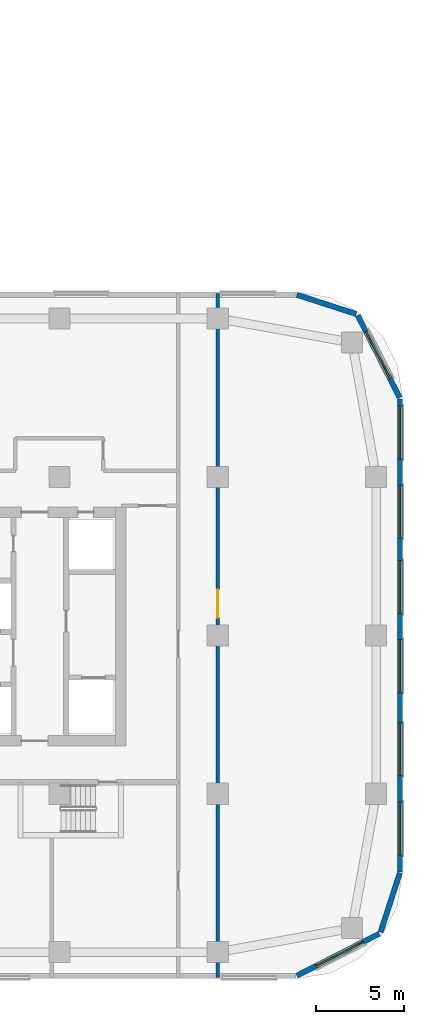
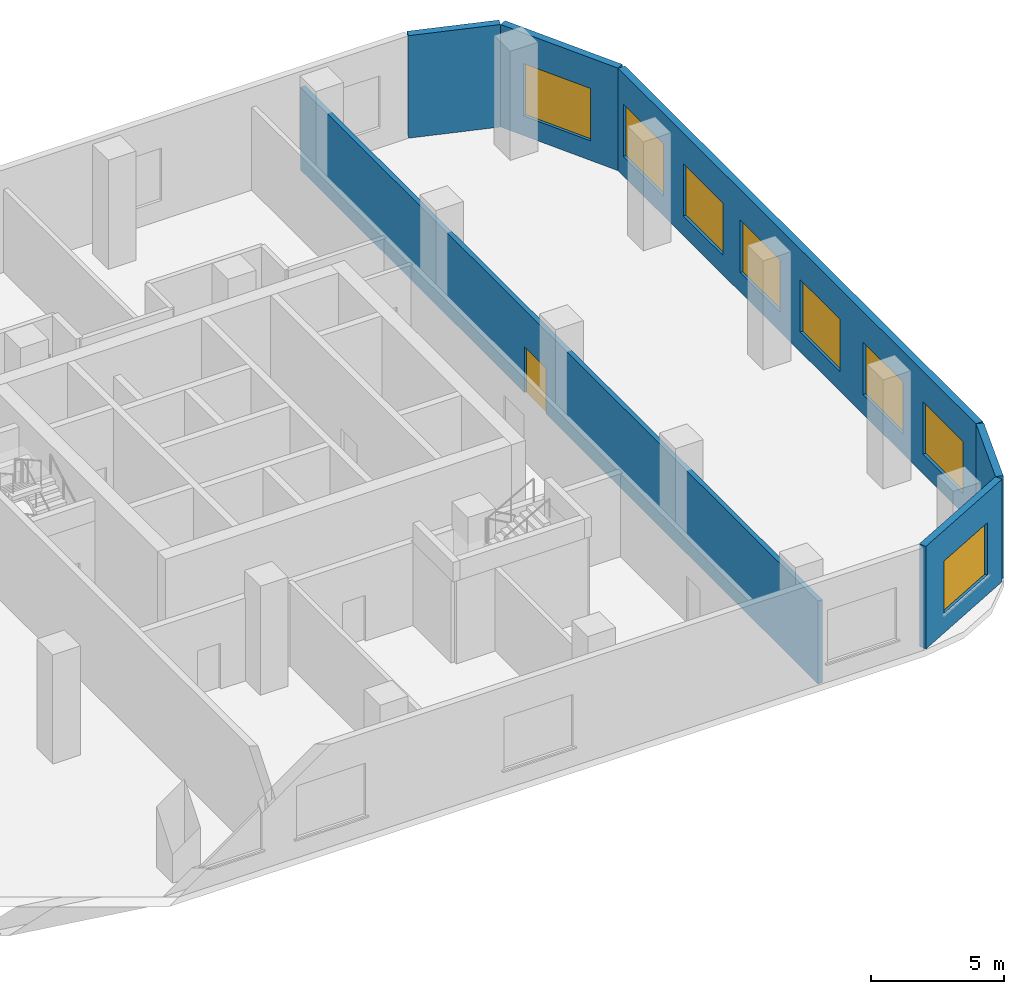
# One storey, part 16 of 33: 8 windows, 6 walls, 1 door, 9 openings.
"""IFC4 building model written with IfcOpenShell, lengths in metres."""

import ifcopenshell
import ifcopenshell.guid

model = None  # the IFC model being written
_history = None  # IfcOwnerHistory: only IFC2X3 demands one
_inside = {}  # id of a spatial element -> (the spatial element, [elements in it])
_under = {}  # id of a project, library or spatial element -> (it, [spatial elements below it])
_declared = {}  # id of a project -> (the project, [libraries it declares])
_typed = {}  # id of a type object -> (the type object, [elements of that type])
_made_of = {}  # id of a material, layer set ... -> (it, [elements and type objects made of it])


def new_model(schema):
    """Start an empty IFC model of exactly this schema.

    Asked for "IFC4X3", IfcOpenShell would pick the latest addendum, in which some entities
    have other attributes; the version numbers below select the first issue.
    IFC2X3 requires an IfcOwnerHistory on every rooted entity: one is made here for all.
    """
    global model, _history
    if schema == "IFC4X3":
        model = ifcopenshell.file(schema_version=(4, 3, 0, 0))
    else:
        model = ifcopenshell.file(schema=schema)
    _inside.clear()
    _under.clear()
    _declared.clear()
    _typed.clear()
    _made_of.clear()
    _history = None
    if model.schema == "IFC2X3":
        org = make("IfcOrganization", Name="unknown")
        user = make(
            "IfcPersonAndOrganization",
            ThePerson=make("IfcPerson", FamilyName="unknown"),
            TheOrganization=org,
        )
        app = make(
            "IfcApplication",
            ApplicationDeveloper=org,
            Version="unknown",
            ApplicationFullName="unknown",
            ApplicationIdentifier="unknown",
        )
        _history = make(
            "IfcOwnerHistory",
            OwningUser=user,
            OwningApplication=app,
            ChangeAction="ADDED",
            CreationDate=0,
        )
    return model


def make(cls, **values):
    """One entity of the class cls with the attributes given. An attribute that is None is left unset."""
    return model.create_entity(
        cls, **{name: value for name, value in values.items() if value is not None}
    )


def rooted(cls, **values):
    """An entity with a GlobalId (a new one), such as an element, a storey or a relation."""
    return make(cls, GlobalId=ifcopenshell.guid.new(), OwnerHistory=_history, **values)


def si_unit(unit_type, name, prefix=None):
    """IfcSIUnit, for example si_unit("LENGTHUNIT", "METRE", prefix="MILLI")."""
    return make("IfcSIUnit", UnitType=unit_type, Prefix=prefix, Name=name)


def assignment(units):
    """IfcUnitAssignment: the units of a project."""
    return None if units is None else make("IfcUnitAssignment", Units=units)


def point(xyz):
    """IfcCartesianPoint."""
    return None if xyz is None else make("IfcCartesianPoint", Coordinates=xyz)


def direction(xyz):
    """IfcDirection."""
    return None if xyz is None else make("IfcDirection", DirectionRatios=xyz)


def frame(location, z_axis=None, x_axis=None):
    """IfcAxis2Placement3D, a coordinate frame: its origin and axes. An axis left out is left unset."""
    return make(
        "IfcAxis2Placement3D",
        Location=point(location),
        Axis=direction(z_axis),
        RefDirection=direction(x_axis),
    )


def frame_2d(location, x_axis=None):
    """IfcAxis2Placement2D, a coordinate frame in the plane: its origin and x axis."""
    return make(
        "IfcAxis2Placement2D", Location=point(location), RefDirection=direction(x_axis)
    )


def origin():
    """The frame at (0, 0, 0) with its axes left unset."""
    return frame((0.0, 0.0, 0.0))


def place(relative_to, where):
    """IfcLocalPlacement: puts the frame where relative to a parent placement (None: the world)."""
    return make(
        "IfcLocalPlacement", PlacementRelTo=relative_to, RelativePlacement=where
    )


def context(
    kind, dimensions, precision=None, world=None, true_north=None, identifier=None
):
    """IfcGeometricRepresentationContext, for example the 3D "Model" context."""
    return make(
        "IfcGeometricRepresentationContext",
        ContextIdentifier=identifier,
        ContextType=kind,
        CoordinateSpaceDimension=dimensions,
        Precision=precision,
        WorldCoordinateSystem=world,
        TrueNorth=true_north,
    )


def subcontext(parent, identifier, kind, view, scale=None):
    """IfcGeometricRepresentationSubContext, for example "Body" below "Model"."""
    return make(
        "IfcGeometricRepresentationSubContext",
        ContextIdentifier=identifier,
        ContextType=kind,
        ParentContext=parent,
        TargetScale=scale,
        TargetView=view,
    )


def project(units=None, contexts=None):
    """IfcProject with its units and contexts."""
    return rooted(
        "IfcProject",
        Name="project",
        RepresentationContexts=contexts,
        UnitsInContext=assignment(units),
    )


def spatial(cls, under=None, at=None, **own):
    """A site, building, storey or space (cls), placed at a placement, below another one or the project."""
    s = rooted(cls, ObjectPlacement=at, **own)
    if under is not None:
        _under.setdefault(under.id(), (under, []))[1].append(s)
    return s


def profile(cls, at=None, kind="AREA", **sizes):
    """A parametric profile (cls). Its sizes go by their IFC names, for example OverallWidth=200.0."""
    return make(cls, ProfileType=kind, Position=at, **sizes)


def rectangle(**sizes):
    """IfcRectangleProfileDef."""
    return profile("IfcRectangleProfileDef", **sizes)


def extrude(swept, where, along, depth):
    """IfcExtrudedAreaSolid: the profile swept, set in the frame where, extruded along a direction by depth."""
    return make(
        "IfcExtrudedAreaSolid",
        SweptArea=swept,
        Position=where,
        ExtrudedDirection=direction(along),
        Depth=depth,
    )


def shape(context_of_items, identifier, shape_type, items):
    """IfcShapeRepresentation: the items that make up one representation, for example the "Body"."""
    return make(
        "IfcShapeRepresentation",
        ContextOfItems=context_of_items,
        RepresentationIdentifier=identifier,
        RepresentationType=shape_type,
        Items=items,
    )


def material(Name=None, Category=None):
    """IfcMaterial."""
    return make("IfcMaterial", Name=Name, Category=Category)


def layer(
    of_material, thickness, ventilated=None, Name=None, Category=None, Priority=None
):
    """IfcMaterialLayer: one layer of a wall or slab, of a material (None: an air gap)."""
    return make(
        "IfcMaterialLayer",
        Material=of_material,
        LayerThickness=thickness,
        IsVentilated=ventilated,
        Name=Name,
        Category=Category,
        Priority=Priority,
    )


def layer_set(layers, Name=None):
    """IfcMaterialLayerSet."""
    return make("IfcMaterialLayerSet", MaterialLayers=layers, LayerSetName=Name)


def made_of(thing, what):
    """Note that an element or type object is made of a material, layer set ...; save() writes the relation."""
    if what is not None:
        _made_of.setdefault(what.id(), (what, []))[1].append(thing)
    return thing


def type_object(cls, material=None, **own):
    """A type object (cls), such as IfcWallType, which elements share."""
    return made_of(rooted(cls, **own), material)


def element(
    cls,
    number,
    at=None,
    inside=None,
    cuts=None,
    type_object=None,
    material=None,
    context=None,
    identifier="Body",
    shape_type=None,
    held_by="IfcProductDefinitionShape",
    body=None,
    shapes=None,
    **own,
):
    """One element of the class cls, such as IfcWall. Its Tag is "e" and its number.

    at: its placement. inside: the storey or other place that contains it. cuts: it is an
    opening in that element (IfcRelVoidsElement). A single representation is given by context,
    identifier, shape_type and body (its items); several are given by shapes. held_by: the class
    of the entity that holds the representations. save() writes the other relations.
    """
    e = rooted(cls, Tag="e%d" % number, ObjectPlacement=at, **own)
    if body is not None:
        shapes = [shape(context, identifier, shape_type, body)]
    if shapes is not None:
        e.Representation = make(held_by, Representations=shapes)
    if inside is not None:
        _inside.setdefault(inside.id(), (inside, []))[1].append(e)
    if cuts is not None:
        rooted(
            "IfcRelVoidsElement", RelatingBuildingElement=cuts, RelatedOpeningElement=e
        )
    if type_object is not None:
        _typed.setdefault(type_object.id(), (type_object, []))[1].append(e)
    return made_of(e, material)


def fill(opening, filler):
    """IfcRelFillsElement: the door or window that sits in an opening."""
    return rooted(
        "IfcRelFillsElement",
        RelatingOpeningElement=opening,
        RelatedBuildingElement=filler,
    )


def aggregate(whole, parts):
    """IfcRelAggregates: a whole, such as a stair, and the parts it consists of."""
    return rooted("IfcRelAggregates", RelatingObject=whole, RelatedObjects=parts)


def save(model, path):
    """Write the relations noted so far, then the file.

    IfcRelAggregates (storeys below a building ...), IfcRelContainedInSpatialStructure (elements
    in a storey), IfcRelDefinesByType, IfcRelAssociatesMaterial and IfcRelDeclares: one each for
    every whole, place, type object, material and project.
    """
    for whole, parts in _under.values():
        aggregate(whole, parts)
    for where, things in _inside.values():
        rooted(
            "IfcRelContainedInSpatialStructure",
            RelatedElements=things,
            RelatingStructure=where,
        )
    for kind, things in _typed.values():
        rooted("IfcRelDefinesByType", RelatedObjects=things, RelatingType=kind)
    for what, things in _made_of.values():
        rooted("IfcRelAssociatesMaterial", RelatedObjects=things, RelatingMaterial=what)
    for by, libraries in _declared.values():
        rooted("IfcRelDeclares", RelatingContext=by, RelatedDefinitions=libraries)
    model.write(path)


model = new_model("IFC4")

# Units and contexts
model_context = context("Model", 3, precision=1e-05, world=origin(), true_north=direction((0.0, 1.0)))
body_context = subcontext(model_context, "Body", "Model", "MODEL_VIEW")
ifc_project = project(units=[si_unit("LENGTHUNIT", "METRE"), si_unit("AREAUNIT", "SQUARE_METRE"), si_unit("VOLUMEUNIT", "CUBIC_METRE"), si_unit("PLANEANGLEUNIT", "RADIAN"), si_unit("MASSUNIT", "GRAM", prefix="KILO")], contexts=[model_context])

# Site, building, storey
site_placement = place(None, origin())
site = spatial("IfcSite", under=ifc_project, at=site_placement, CompositionType="ELEMENT")
building_placement = place(site_placement, origin())
building = spatial("IfcBuilding", under=site, at=building_placement, Name="Ogive Portal Towers", CompositionType="ELEMENT")
storey_placement = place(building_placement, frame((0.0, 0.0, 28.5)))
storey = spatial("IfcBuildingStorey", under=building, at=storey_placement, Name="L05", CompositionType="ELEMENT", Elevation=28.5)

# Wall, opening, window
ifc_material_1 = material(Name="Limestone cladding on lightweight block wall", Category="masonry")
ifc_layer_1 = layer(ifc_material_1, 0.300048828125)
ifc_layer_set_1 = layer_set([ifc_layer_1], Name="EXTERNAL WALL 300 STONE")
wall_type_1 = type_object("IfcWallType", Name="EXTERNAL WALL 300 STONE", PredefinedType="SOLIDWALL", material=ifc_layer_set_1)
wall_1_placement = place(storey_placement, frame((153.99609375, 11.166259765625, 0.0), z_axis=(0.0, 0.0, 1.0), x_axis=(0.890998339455, 0.454006562826, 0.0)))
wall_1 = element("IfcWall", 1, at=wall_1_placement, inside=storey, type_object=wall_type_1, Name="B:L05:f03:w0", PredefinedType="SOLIDWALL", context=body_context, shape_type="SweptSolid", body=[
    extrude(rectangle(XDim=5.251708984375, YDim=0.300048828125, at=frame_2d((2.6259765625, 0.0))), origin(), (0.0, 0.0, 1.0), 4.699951171875),
])
opening_1_placement = place(wall_1_placement, frame((1.223876953125, 0.0, 0.89990234375)))
opening_1 = element("IfcOpeningElement", 2, at=opening_1_placement, cuts=wall_1, Name="Opening WN3", PredefinedType="OPENING", context=body_context, shape_type="SweptSolid", body=[
    extrude(rectangle(XDim=3.0, YDim=2.39990234375, at=frame_2d((1.5, 1.199951171875))), frame((0.0, 0.16015625, 0.0), z_axis=(0.0, -1.0, 0.0), x_axis=(1.0, 0.0, 0.0)), (0.0, 0.0, 1.0), 0.320068359375),
])
ifc_material_2 = material(Name="Glass, clear low-iron insulated glazing", Category="glass")
window_type = type_object("IfcWindowType", Name="WINDOW PODIUM 3000x2400", PartitioningType="SINGLE_PANEL", PredefinedType="WINDOW", material=ifc_material_2)
window_1_placement = place(opening_1_placement, origin())
window_1 = element("IfcWindow", 3, at=window_1_placement, inside=storey, type_object=window_type, Name="B:L05:f03:w0:o0", OverallHeight=2.39990234375, OverallWidth=3.0, PartitioningType="SINGLE_PANEL", PredefinedType="WINDOW", context=body_context, shape_type="SweptSolid", body=[
    extrude(rectangle(XDim=3.0, YDim=2.39990234375, at=frame_2d((1.5, 1.199951171875))), frame((0.0, 0.030029296875, 0.0), z_axis=(0.0, -1.0, 0.0), x_axis=(1.0, 0.0, 0.0)), (0.0, 0.0, 1.0), 0.06005859375),
])
fill(opening_1, window_1)

# Wall
wall_2_placement = place(storey_placement, frame((158.749755859375, 13.637939453125, 0.0), z_axis=(0.0, 0.0, 1.0), x_axis=(0.309073584194, 0.951038127287, 0.0)))
element("IfcWall", 4, at=wall_2_placement, inside=storey, type_object=wall_type_1, Name="B:L05:f04:w0", PredefinedType="SOLIDWALL", context=body_context, shape_type="SweptSolid", body=[
    extrude(rectangle(XDim=3.536376953125, YDim=0.300048828125, at=frame_2d((1.76806640625, 0.0))), origin(), (0.0, 0.0, 1.0), 4.699951171875),
])

# Wall, openings, windows
wall_3_placement = place(storey_placement, frame((159.85009765625, 17.047607421875, 0.0), z_axis=(0.0, 0.0, 1.0), x_axis=(0.0, 1.0, 0.0)))
wall_3 = element("IfcWall", 5, at=wall_3_placement, inside=storey, type_object=wall_type_1, Name="B:L05:f05:w0", PredefinedType="SOLIDWALL", context=body_context, shape_type="SweptSolid", body=[
    extrude(rectangle(XDim=26.88037109375, YDim=0.300048828125, at=frame_2d((13.440185546875, 0.0))), origin(), (0.0, 0.0, 1.0), 4.699951171875),
])
opening_2_placement = place(wall_3_placement, frame((0.976318359375, 0.0, 0.89990234375)))
opening_2 = element("IfcOpeningElement", 6, at=opening_2_placement, cuts=wall_3, Name="Opening WN3", PredefinedType="OPENING", context=body_context, shape_type="SweptSolid", body=[
    extrude(rectangle(XDim=3.0, YDim=2.39990234375, at=frame_2d((1.5, 1.199951171875))), frame((0.0, 0.16015625, 0.0), z_axis=(0.0, -1.0, 0.0), x_axis=(1.0, 0.0, 0.0)), (0.0, 0.0, 1.0), 0.320068359375),
])
opening_3_placement = place(wall_3_placement, frame((5.476318359375, 0.0, 0.89990234375)))
opening_3 = element("IfcOpeningElement", 7, at=opening_3_placement, cuts=wall_3, Name="Opening WN3", PredefinedType="OPENING", context=body_context, shape_type="SweptSolid", body=[
    extrude(rectangle(XDim=3.0, YDim=2.39990234375, at=frame_2d((1.5, 1.199951171875))), frame((0.0, 0.16015625, 0.0), z_axis=(0.0, -1.0, 0.0), x_axis=(1.0, 0.0, 0.0)), (0.0, 0.0, 1.0), 0.320068359375),
])
opening_4_placement = place(wall_3_placement, frame((10.202392578125, 0.0, 0.89990234375)))
opening_4 = element("IfcOpeningElement", 8, at=opening_4_placement, cuts=wall_3, Name="Opening WN3", PredefinedType="OPENING", context=body_context, shape_type="SweptSolid", body=[
    extrude(rectangle(XDim=3.0, YDim=2.39990234375, at=frame_2d((1.5, 1.199951171875))), frame((0.0, 0.16015625, 0.0), z_axis=(0.0, -1.0, 0.0), x_axis=(1.0, 0.0, 0.0)), (0.0, 0.0, 1.0), 0.320068359375),
])
opening_5_placement = place(wall_3_placement, frame((14.702392578125, 0.0, 0.89990234375)))
opening_5 = element("IfcOpeningElement", 9, at=opening_5_placement, cuts=wall_3, Name="Opening WN3", PredefinedType="OPENING", context=body_context, shape_type="SweptSolid", body=[
    extrude(rectangle(XDim=3.0, YDim=2.39990234375, at=frame_2d((1.5, 1.199951171875))), frame((0.0, 0.16015625, 0.0), z_axis=(0.0, -1.0, 0.0), x_axis=(1.0, 0.0, 0.0)), (0.0, 0.0, 1.0), 0.320068359375),
])
opening_6_placement = place(wall_3_placement, frame((18.976318359375, 0.0, 0.89990234375)))
opening_6 = element("IfcOpeningElement", 10, at=opening_6_placement, cuts=wall_3, Name="Opening WN3", PredefinedType="OPENING", context=body_context, shape_type="SweptSolid", body=[
    extrude(rectangle(XDim=3.0, YDim=2.39990234375, at=frame_2d((1.5, 1.199951171875))), frame((0.0, 0.16015625, 0.0), z_axis=(0.0, -1.0, 0.0), x_axis=(1.0, 0.0, 0.0)), (0.0, 0.0, 1.0), 0.320068359375),
])
opening_7_placement = place(wall_3_placement, frame((23.476318359375, 0.0, 0.89990234375)))
opening_7 = element("IfcOpeningElement", 11, at=opening_7_placement, cuts=wall_3, Name="Opening WN3", PredefinedType="OPENING", context=body_context, shape_type="SweptSolid", body=[
    extrude(rectangle(XDim=3.0, YDim=2.39990234375, at=frame_2d((1.5, 1.199951171875))), frame((0.0, 0.16015625, 0.0), z_axis=(0.0, -1.0, 0.0), x_axis=(1.0, 0.0, 0.0)), (0.0, 0.0, 1.0), 0.320068359375),
])
window_2_placement = place(opening_2_placement, origin())
window_2 = element("IfcWindow", 12, at=window_2_placement, inside=storey, type_object=window_type, Name="B:L05:f05:w0:o0a", OverallHeight=2.39990234375, OverallWidth=3.0, PartitioningType="SINGLE_PANEL", PredefinedType="WINDOW", context=body_context, shape_type="SweptSolid", body=[
    extrude(rectangle(XDim=3.0, YDim=2.39990234375, at=frame_2d((1.5, 1.199951171875))), frame((0.0, 0.030029296875, 0.0), z_axis=(0.0, -1.0, 0.0), x_axis=(1.0, 0.0, 0.0)), (0.0, 0.0, 1.0), 0.06005859375),
])
fill(opening_2, window_2)
window_3_placement = place(opening_3_placement, origin())
window_3 = element("IfcWindow", 13, at=window_3_placement, inside=storey, type_object=window_type, Name="B:L05:f05:w0:o0b", OverallHeight=2.39990234375, OverallWidth=3.0, PartitioningType="SINGLE_PANEL", PredefinedType="WINDOW", context=body_context, shape_type="SweptSolid", body=[
    extrude(rectangle(XDim=3.0, YDim=2.39990234375, at=frame_2d((1.5, 1.199951171875))), frame((0.0, 0.030029296875, 0.0), z_axis=(0.0, -1.0, 0.0), x_axis=(1.0, 0.0, 0.0)), (0.0, 0.0, 1.0), 0.06005859375),
])
fill(opening_3, window_3)
window_4_placement = place(opening_4_placement, origin())
window_4 = element("IfcWindow", 14, at=window_4_placement, inside=storey, type_object=window_type, Name="B:L05:f05:w0:o1a", OverallHeight=2.39990234375, OverallWidth=3.0, PartitioningType="SINGLE_PANEL", PredefinedType="WINDOW", context=body_context, shape_type="SweptSolid", body=[
    extrude(rectangle(XDim=3.0, YDim=2.39990234375, at=frame_2d((1.5, 1.199951171875))), frame((0.0, 0.030029296875, 0.0), z_axis=(0.0, -1.0, 0.0), x_axis=(1.0, 0.0, 0.0)), (0.0, 0.0, 1.0), 0.06005859375),
])
fill(opening_4, window_4)
window_5_placement = place(opening_5_placement, origin())
window_5 = element("IfcWindow", 15, at=window_5_placement, inside=storey, type_object=window_type, Name="B:L05:f05:w0:o1b", OverallHeight=2.39990234375, OverallWidth=3.0, PartitioningType="SINGLE_PANEL", PredefinedType="WINDOW", context=body_context, shape_type="SweptSolid", body=[
    extrude(rectangle(XDim=3.0, YDim=2.39990234375, at=frame_2d((1.5, 1.199951171875))), frame((0.0, 0.030029296875, 0.0), z_axis=(0.0, -1.0, 0.0), x_axis=(1.0, 0.0, 0.0)), (0.0, 0.0, 1.0), 0.06005859375),
])
fill(opening_5, window_5)
window_6_placement = place(opening_6_placement, origin())
window_6 = element("IfcWindow", 16, at=window_6_placement, inside=storey, type_object=window_type, Name="B:L05:f05:w0:o2a", OverallHeight=2.39990234375, OverallWidth=3.0, PartitioningType="SINGLE_PANEL", PredefinedType="WINDOW", context=body_context, shape_type="SweptSolid", body=[
    extrude(rectangle(XDim=3.0, YDim=2.39990234375, at=frame_2d((1.5, 1.199951171875))), frame((0.0, 0.030029296875, 0.0), z_axis=(0.0, -1.0, 0.0), x_axis=(1.0, 0.0, 0.0)), (0.0, 0.0, 1.0), 0.06005859375),
])
fill(opening_6, window_6)
window_7_placement = place(opening_7_placement, origin())
window_7 = element("IfcWindow", 17, at=window_7_placement, inside=storey, type_object=window_type, Name="B:L05:f05:w0:o2b", OverallHeight=2.39990234375, OverallWidth=3.0, PartitioningType="SINGLE_PANEL", PredefinedType="WINDOW", context=body_context, shape_type="SweptSolid", body=[
    extrude(rectangle(XDim=3.0, YDim=2.39990234375, at=frame_2d((1.5, 1.199951171875))), frame((0.0, 0.030029296875, 0.0), z_axis=(0.0, -1.0, 0.0), x_axis=(1.0, 0.0, 0.0)), (0.0, 0.0, 1.0), 0.06005859375),
])
fill(opening_7, window_7)

# Wall, opening, window
wall_4_placement = place(storey_placement, frame((159.833740234375, 43.99609375, 0.0), z_axis=(0.0, 0.0, 1.0), x_axis=(-0.454006562826, 0.890998339455, 0.0)))
wall_4 = element("IfcWall", 18, at=wall_4_placement, inside=storey, type_object=wall_type_1, Name="B:L05:f06:w0", PredefinedType="SOLIDWALL", context=body_context, shape_type="SweptSolid", body=[
    extrude(rectangle(XDim=5.251708984375, YDim=0.300048828125, at=frame_2d((2.6259765625, 0.0))), origin(), (0.0, 0.0, 1.0), 4.699951171875),
])
opening_8_placement = place(wall_4_placement, frame((1.223876953125, 0.0, 0.89990234375)))
opening_8 = element("IfcOpeningElement", 19, at=opening_8_placement, cuts=wall_4, Name="Opening WN3", PredefinedType="OPENING", context=body_context, shape_type="SweptSolid", body=[
    extrude(rectangle(XDim=3.0, YDim=2.39990234375, at=frame_2d((1.5, 1.199951171875))), frame((0.0, 0.16015625, 0.0), z_axis=(0.0, -1.0, 0.0), x_axis=(1.0, 0.0, 0.0)), (0.0, 0.0, 1.0), 0.320068359375),
])
window_8_placement = place(opening_8_placement, origin())
window_8 = element("IfcWindow", 20, at=window_8_placement, inside=storey, type_object=window_type, Name="B:L05:f06:w0:o0", OverallHeight=2.39990234375, OverallWidth=3.0, PartitioningType="SINGLE_PANEL", PredefinedType="WINDOW", context=body_context, shape_type="SweptSolid", body=[
    extrude(rectangle(XDim=3.0, YDim=2.39990234375, at=frame_2d((1.5, 1.199951171875))), frame((0.0, 0.030029296875, 0.0), z_axis=(0.0, -1.0, 0.0), x_axis=(1.0, 0.0, 0.0)), (0.0, 0.0, 1.0), 0.06005859375),
])
fill(opening_8, window_8)

# Wall
wall_5_placement = place(storey_placement, frame((157.362060546875, 48.749755859375, 0.0), z_axis=(0.0, 0.0, 1.0), x_axis=(-0.951038127287, 0.309073584194, 0.0)))
element("IfcWall", 21, at=wall_5_placement, inside=storey, type_object=wall_type_1, Name="B:L05:f07:w0", PredefinedType="SOLIDWALL", context=body_context, shape_type="SweptSolid", body=[
    extrude(rectangle(XDim=3.536376953125, YDim=0.300048828125, at=frame_2d((1.76806640625, 0.0))), origin(), (0.0, 0.0, 1.0), 4.699951171875),
])

# Wall, opening, door
ifc_material_3 = material(Name="Gypsum board partition on steel studs", Category="steel")
ifc_layer_2 = layer(ifc_material_3, 0.199951171875)
ifc_layer_set_2 = layer_set([ifc_layer_2], Name="WT-PART-200-EI 60")
wall_type_2 = type_object("IfcWallType", Name="WT-PART-200-EI 60", PredefinedType="PARTITIONING", material=ifc_layer_set_2)
wall_6_placement = place(storey_placement, frame((149.5, 11.070068359375, 0.0), z_axis=(0.0, 0.0, 1.0), x_axis=(0.0, 1.0, 0.0)))
wall_6 = element("IfcWall", 22, at=wall_6_placement, inside=storey, type_object=wall_type_2, Name="Wall L05:w076", PredefinedType="PARTITIONING", context=body_context, shape_type="SweptSolid", body=[
    extrude(rectangle(XDim=38.85986328125, YDim=0.199951171875, at=frame_2d((19.429931640625, 0.0))), origin(), (0.0, 0.0, 1.0), 3.800048828125),
])
opening_9_placement = place(wall_6_placement, frame((20.429931640625, 0.0, 0.0)))
opening_9 = element("IfcOpeningElement", 23, at=opening_9_placement, cuts=wall_6, Name="Opening P05-041", PredefinedType="OPENING", context=body_context, shape_type="SweptSolid", body=[
    extrude(rectangle(XDim=1.60009765625, YDim=2.10009765625, at=frame_2d((0.800048828125, 1.050048828125))), frame((0.0, 0.10986328125, 0.0), z_axis=(0.0, -1.0, 0.0), x_axis=(1.0, 0.0, 0.0)), (0.0, 0.0, 1.0), 0.219970703125),
])
ifc_material_4 = material(Name="Steel fire door", Category="steel")
door_type = type_object("IfcDoorType", Name="DT-SWING-1600x2100-FD60S", OperationType="SINGLE_SWING_LEFT", PredefinedType="DOOR", material=ifc_material_4)
door_placement = place(opening_9_placement, origin())
door = element("IfcDoor", 24, at=door_placement, inside=storey, type_object=door_type, Name="Door P05-041", OperationType="SINGLE_SWING_LEFT", OverallHeight=2.10009765625, OverallWidth=1.60009765625, PredefinedType="DOOR", context=body_context, shape_type="SweptSolid", body=[
    extrude(rectangle(XDim=1.60009765625, YDim=2.10009765625, at=frame_2d((0.800048828125, 1.050048828125))), frame((0.0, 0.02490234375, 0.0), z_axis=(0.0, -1.0, 0.0), x_axis=(1.0, 0.0, 0.0)), (0.0, 0.0, 1.0), 0.050048828125),
])
fill(opening_9, door)

save(model, "model.ifc")
